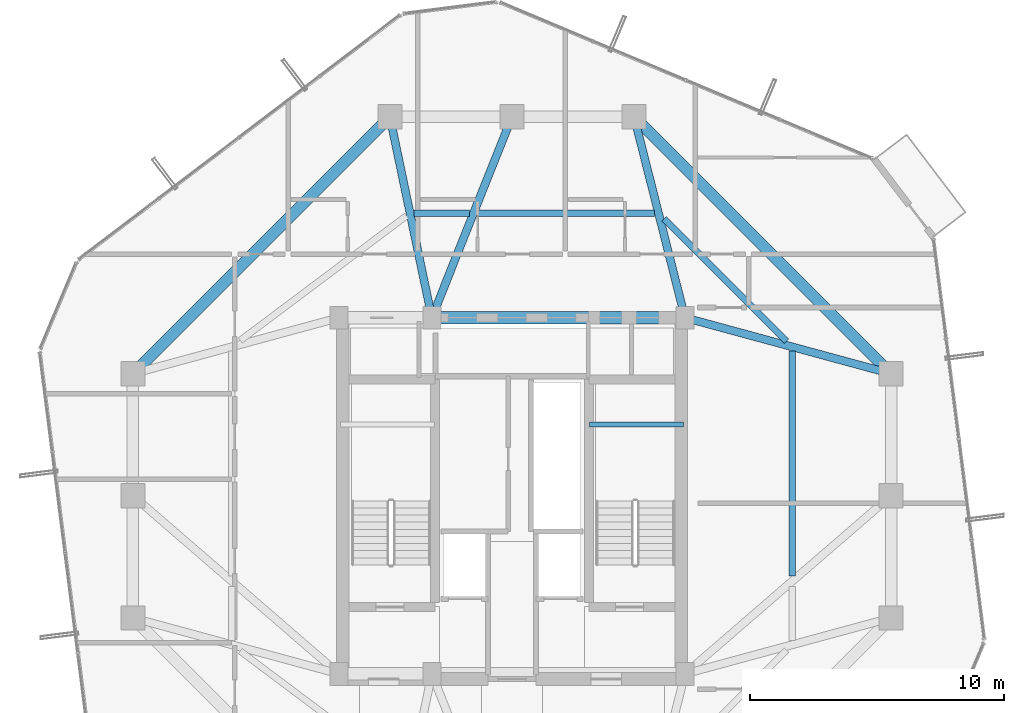
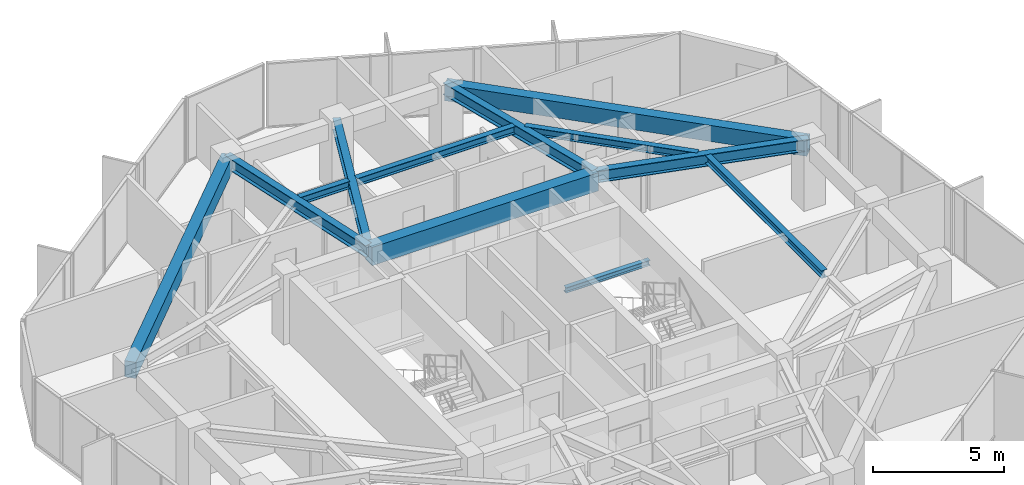
# One storey, part 16 of 32: 12 beams.
"""IFC4 building model written with IfcOpenShell, lengths in metres."""

import ifcopenshell
import ifcopenshell.guid

model = None  # the IFC model being written
_history = None  # IfcOwnerHistory: only IFC2X3 demands one
_inside = {}  # id of a spatial element -> (the spatial element, [elements in it])
_under = {}  # id of a project, library or spatial element -> (it, [spatial elements below it])
_declared = {}  # id of a project -> (the project, [libraries it declares])
_typed = {}  # id of a type object -> (the type object, [elements of that type])
_made_of = {}  # id of a material, layer set ... -> (it, [elements and type objects made of it])


def new_model(schema):
    """Start an empty IFC model of exactly this schema.

    Asked for "IFC4X3", IfcOpenShell would pick the latest addendum, in which some entities
    have other attributes; the version numbers below select the first issue.
    IFC2X3 requires an IfcOwnerHistory on every rooted entity: one is made here for all.
    """
    global model, _history
    if schema == "IFC4X3":
        model = ifcopenshell.file(schema_version=(4, 3, 0, 0))
    else:
        model = ifcopenshell.file(schema=schema)
    _inside.clear()
    _under.clear()
    _declared.clear()
    _typed.clear()
    _made_of.clear()
    _history = None
    if model.schema == "IFC2X3":
        org = make("IfcOrganization", Name="unknown")
        user = make(
            "IfcPersonAndOrganization",
            ThePerson=make("IfcPerson", FamilyName="unknown"),
            TheOrganization=org,
        )
        app = make(
            "IfcApplication",
            ApplicationDeveloper=org,
            Version="unknown",
            ApplicationFullName="unknown",
            ApplicationIdentifier="unknown",
        )
        _history = make(
            "IfcOwnerHistory",
            OwningUser=user,
            OwningApplication=app,
            ChangeAction="ADDED",
            CreationDate=0,
        )
    return model


def make(cls, **values):
    """One entity of the class cls with the attributes given. An attribute that is None is left unset."""
    return model.create_entity(
        cls, **{name: value for name, value in values.items() if value is not None}
    )


def rooted(cls, **values):
    """An entity with a GlobalId (a new one), such as an element, a storey or a relation."""
    return make(cls, GlobalId=ifcopenshell.guid.new(), OwnerHistory=_history, **values)


def si_unit(unit_type, name, prefix=None):
    """IfcSIUnit, for example si_unit("LENGTHUNIT", "METRE", prefix="MILLI")."""
    return make("IfcSIUnit", UnitType=unit_type, Prefix=prefix, Name=name)


def assignment(units):
    """IfcUnitAssignment: the units of a project."""
    return None if units is None else make("IfcUnitAssignment", Units=units)


def point(xyz):
    """IfcCartesianPoint."""
    return None if xyz is None else make("IfcCartesianPoint", Coordinates=xyz)


def direction(xyz):
    """IfcDirection."""
    return None if xyz is None else make("IfcDirection", DirectionRatios=xyz)


def frame(location, z_axis=None, x_axis=None):
    """IfcAxis2Placement3D, a coordinate frame: its origin and axes. An axis left out is left unset."""
    return make(
        "IfcAxis2Placement3D",
        Location=point(location),
        Axis=direction(z_axis),
        RefDirection=direction(x_axis),
    )


def frame_2d(location, x_axis=None):
    """IfcAxis2Placement2D, a coordinate frame in the plane: its origin and x axis."""
    return make(
        "IfcAxis2Placement2D", Location=point(location), RefDirection=direction(x_axis)
    )


def origin():
    """The frame at (0, 0, 0) with its axes left unset."""
    return frame((0.0, 0.0, 0.0))


def origin_2d():
    """The frame at (0, 0) in the plane with its x axis left unset."""
    return frame_2d((0.0, 0.0))


def place(relative_to, where):
    """IfcLocalPlacement: puts the frame where relative to a parent placement (None: the world)."""
    return make(
        "IfcLocalPlacement", PlacementRelTo=relative_to, RelativePlacement=where
    )


def context(
    kind, dimensions, precision=None, world=None, true_north=None, identifier=None
):
    """IfcGeometricRepresentationContext, for example the 3D "Model" context."""
    return make(
        "IfcGeometricRepresentationContext",
        ContextIdentifier=identifier,
        ContextType=kind,
        CoordinateSpaceDimension=dimensions,
        Precision=precision,
        WorldCoordinateSystem=world,
        TrueNorth=true_north,
    )


def subcontext(parent, identifier, kind, view, scale=None):
    """IfcGeometricRepresentationSubContext, for example "Body" below "Model"."""
    return make(
        "IfcGeometricRepresentationSubContext",
        ContextIdentifier=identifier,
        ContextType=kind,
        ParentContext=parent,
        TargetScale=scale,
        TargetView=view,
    )


def project(units=None, contexts=None):
    """IfcProject with its units and contexts."""
    return rooted(
        "IfcProject",
        Name="project",
        RepresentationContexts=contexts,
        UnitsInContext=assignment(units),
    )


def spatial(cls, under=None, at=None, **own):
    """A site, building, storey or space (cls), placed at a placement, below another one or the project."""
    s = rooted(cls, ObjectPlacement=at, **own)
    if under is not None:
        _under.setdefault(under.id(), (under, []))[1].append(s)
    return s


def profile(cls, at=None, kind="AREA", **sizes):
    """A parametric profile (cls). Its sizes go by their IFC names, for example OverallWidth=200.0."""
    return make(cls, ProfileType=kind, Position=at, **sizes)


def rectangle(**sizes):
    """IfcRectangleProfileDef."""
    return profile("IfcRectangleProfileDef", **sizes)


def i_section(**sizes):
    """IfcIShapeProfileDef."""
    return profile("IfcIShapeProfileDef", **sizes)


def extrude(swept, where, along, depth):
    """IfcExtrudedAreaSolid: the profile swept, set in the frame where, extruded along a direction by depth."""
    return make(
        "IfcExtrudedAreaSolid",
        SweptArea=swept,
        Position=where,
        ExtrudedDirection=direction(along),
        Depth=depth,
    )


def shape(context_of_items, identifier, shape_type, items):
    """IfcShapeRepresentation: the items that make up one representation, for example the "Body"."""
    return make(
        "IfcShapeRepresentation",
        ContextOfItems=context_of_items,
        RepresentationIdentifier=identifier,
        RepresentationType=shape_type,
        Items=items,
    )


def material(Name=None, Category=None):
    """IfcMaterial."""
    return make("IfcMaterial", Name=Name, Category=Category)


def material_profile(
    of_material, cross_section, Name=None, Category=None, Priority=None
):
    """IfcMaterialProfile: a cross section and its material."""
    return make(
        "IfcMaterialProfile",
        Name=Name,
        Material=of_material,
        Profile=cross_section,
        Priority=Priority,
        Category=Category,
    )


def profile_set(profiles, Name=None, composite=None):
    """IfcMaterialProfileSet."""
    return make(
        "IfcMaterialProfileSet",
        Name=Name,
        MaterialProfiles=profiles,
        CompositeProfile=composite,
    )


def made_of(thing, what):
    """Note that an element or type object is made of a material, layer set ...; save() writes the relation."""
    if what is not None:
        _made_of.setdefault(what.id(), (what, []))[1].append(thing)
    return thing


def type_object(cls, material=None, **own):
    """A type object (cls), such as IfcWallType, which elements share."""
    return made_of(rooted(cls, **own), material)


def element(
    cls,
    number,
    at=None,
    inside=None,
    cuts=None,
    type_object=None,
    material=None,
    context=None,
    identifier="Body",
    shape_type=None,
    held_by="IfcProductDefinitionShape",
    body=None,
    shapes=None,
    **own,
):
    """One element of the class cls, such as IfcWall. Its Tag is "e" and its number.

    at: its placement. inside: the storey or other place that contains it. cuts: it is an
    opening in that element (IfcRelVoidsElement). A single representation is given by context,
    identifier, shape_type and body (its items); several are given by shapes. held_by: the class
    of the entity that holds the representations. save() writes the other relations.
    """
    e = rooted(cls, Tag="e%d" % number, ObjectPlacement=at, **own)
    if body is not None:
        shapes = [shape(context, identifier, shape_type, body)]
    if shapes is not None:
        e.Representation = make(held_by, Representations=shapes)
    if inside is not None:
        _inside.setdefault(inside.id(), (inside, []))[1].append(e)
    if cuts is not None:
        rooted(
            "IfcRelVoidsElement", RelatingBuildingElement=cuts, RelatedOpeningElement=e
        )
    if type_object is not None:
        _typed.setdefault(type_object.id(), (type_object, []))[1].append(e)
    return made_of(e, material)


def aggregate(whole, parts):
    """IfcRelAggregates: a whole, such as a stair, and the parts it consists of."""
    return rooted("IfcRelAggregates", RelatingObject=whole, RelatedObjects=parts)


def save(model, path):
    """Write the relations noted so far, then the file.

    IfcRelAggregates (storeys below a building ...), IfcRelContainedInSpatialStructure (elements
    in a storey), IfcRelDefinesByType, IfcRelAssociatesMaterial and IfcRelDeclares: one each for
    every whole, place, type object, material and project.
    """
    for whole, parts in _under.values():
        aggregate(whole, parts)
    for where, things in _inside.values():
        rooted(
            "IfcRelContainedInSpatialStructure",
            RelatedElements=things,
            RelatingStructure=where,
        )
    for kind, things in _typed.values():
        rooted("IfcRelDefinesByType", RelatedObjects=things, RelatingType=kind)
    for what, things in _made_of.values():
        rooted("IfcRelAssociatesMaterial", RelatedObjects=things, RelatingMaterial=what)
    for by, libraries in _declared.values():
        rooted("IfcRelDeclares", RelatingContext=by, RelatedDefinitions=libraries)
    model.write(path)


model = new_model("IFC4")

# Units and contexts
model_context = context("Model", 3, precision=1e-05, world=origin(), true_north=direction((0.0, 1.0)))
body_context = subcontext(model_context, "Body", "Model", "MODEL_VIEW")
ifc_project = project(units=[si_unit("LENGTHUNIT", "METRE"), si_unit("AREAUNIT", "SQUARE_METRE"), si_unit("VOLUMEUNIT", "CUBIC_METRE"), si_unit("PLANEANGLEUNIT", "RADIAN"), si_unit("MASSUNIT", "GRAM", prefix="KILO")], contexts=[model_context])

# Site, building, storey
site_placement = place(None, origin())
site = spatial("IfcSite", under=ifc_project, at=site_placement, CompositionType="ELEMENT")
building_placement = place(site_placement, origin())
building = spatial("IfcBuilding", under=site, at=building_placement, Name="Veraguas Prism Commons", CompositionType="ELEMENT")
storey_placement = place(building_placement, frame((0.0, 0.0, 182.10009765625)))
storey = spatial("IfcBuildingStorey", under=building, at=storey_placement, Name="L51", CompositionType="ELEMENT", Elevation=182.10009765625)

# Beams
ifc_material_1 = material(Name="Concrete C50/60", Category="concrete")
ifc_material_profile_1 = material_profile(ifc_material_1, rectangle(XDim=0.5, YDim=0.85009765625, at=origin_2d()), Name="RC500X850")
ifc_profile_set_1 = profile_set([ifc_material_profile_1], Name="Concrete C50/60")
beam_type_1 = type_object("IfcBeamType", Name="Core Coupling Beam RC 500x850", PredefinedType="BEAM", material=ifc_profile_set_1)
beam_1_placement = place(storey_placement, frame((20.85009765625, 31.0, 2.58984375), z_axis=(1.0, 0.0, 0.0), x_axis=(0.0, 1.0, 0.0)))
element("IfcBeam", 1, at=beam_1_placement, inside=storey, type_object=beam_type_1, Name="Core Coupling Beam L51-CRN2", PredefinedType="BEAM", context=body_context, shape_type="SweptSolid", body=[
    extrude(rectangle(XDim=0.5, YDim=0.85009765625, at=origin_2d()), origin(), (0.0, 0.0, 1.0), 9.949951171875),
])
ifc_material_profile_2 = material_profile(ifc_material_1, rectangle(XDim=0.449951171875, YDim=0.75, at=origin_2d()), Name="RC450X750")
ifc_profile_set_2 = profile_set([ifc_material_profile_2], Name="Concrete C50/60")
beam_type_2 = type_object("IfcBeamType", Name="Perimeter Spandrel Upper RC 450x750", PredefinedType="SPANDREL", material=ifc_profile_set_2)
for number, where, z_axis, x_axis, name in (
    (2, (38.89990234375, 28.800048828125, 2.639892578125), (-0.707106781187, 0.707106781187, 0.0), (-0.707106781187, -0.707106781187, 0.0), "Perimeter Spandrel Beam L51-SP03"),
    (3, (19.199951171875, 38.89990234375, 2.639892578125), (-0.707106781187, -0.707106781187, 0.0), (0.707106781187, -0.707106781187, 0.0), "Perimeter Spandrel Beam L51-SP06"),
):
    element("IfcBeam", number, at=place(storey_placement, frame(where, z_axis=z_axis, x_axis=x_axis)), inside=storey, type_object=beam_type_2, Name=name, PredefinedType="SPANDREL", context=body_context, shape_type="SweptSolid", body=[
        extrude(rectangle(XDim=0.449951171875, YDim=0.75, at=origin_2d()), origin(), (0.0, 0.0, 1.0), 14.283447265625),
    ])
ifc_material_2 = material(Name="Steel ASTM A992 Grade 50", Category="steel")
ifc_material_profile_3 = material_profile(ifc_material_2, i_section(OverallWidth=0.202880859375, OverallDepth=0.251953125, WebThickness=0.008056640625, FlangeThickness=0.013427734375, at=origin_2d()), Name="W250X58")
ifc_profile_set_3 = profile_set([ifc_material_profile_3], Name="Steel ASTM A992 Grade 50")
beam_type_3 = type_object("IfcBeamType", Name="Structural Opening Lintel W250x58", PredefinedType="LINTEL", material=ifc_profile_set_3)
beam_2_placement = place(storey_placement, frame((27.050048828125, 26.800048828125, 1.298828125), z_axis=(1.0, 0.0, 0.0), x_axis=(0.0, 1.0, 0.0)))
element("IfcBeam", 4, at=beam_2_placement, inside=storey, type_object=beam_type_3, Name="Stair ST-02 Half-Landing Support Beam L51-1", PredefinedType="LINTEL", context=body_context, shape_type="SweptSolid", body=[
    extrude(i_section(OverallWidth=0.202880859375, OverallDepth=0.251953125, WebThickness=0.008056640625, FlangeThickness=0.013427734375, at=origin_2d()), origin(), (0.0, 0.0, 1.0), 3.699951171875),
])
ifc_material_profile_4 = material_profile(ifc_material_2, i_section(OverallWidth=0.25390625, OverallDepth=0.35302734375, WebThickness=0.009521484375, FlangeThickness=0.016357421875, at=origin_2d()), Name="W360X91")
ifc_profile_set_4 = profile_set([ifc_material_profile_4], Name="Steel ASTM A992 Grade 50")
beam_type_4 = type_object("IfcBeamType", Name="Upper Floor Joist W360x91", PredefinedType="JOIST", material=ifc_profile_set_4)
beam_3_placement = place(storey_placement, frame((35.011962890625, 20.843017578125, 2.83837890625), z_axis=(0.0, 1.0, 0.0), x_axis=(-1.0, 0.0, 0.0)))
element("IfcBeam", 5, at=beam_3_placement, inside=storey, type_object=beam_type_4, Name="Composite Floor Joist L51-JS02", PredefinedType="JOIST", context=body_context, shape_type="SweptSolid", body=[
    extrude(i_section(OverallWidth=0.25390625, OverallDepth=0.35302734375, WebThickness=0.009521484375, FlangeThickness=0.016357421875, at=origin_2d()), origin(), (0.0, 0.0, 1.0), 8.85400390625),
])
beam_4_placement = place(storey_placement, frame((34.793701171875, 30.074462890625, 2.83837890625), z_axis=(-0.707124682851, 0.707088879069, 0.0), x_axis=(-0.707088879069, -0.707124682851, 0.0)))
element("IfcBeam", 6, at=beam_4_placement, inside=storey, type_object=beam_type_4, Name="Composite Floor Joist L51-JS03", PredefinedType="JOIST", context=body_context, shape_type="SweptSolid", body=[
    extrude(i_section(OverallWidth=0.25390625, OverallDepth=0.35302734375, WebThickness=0.009521484375, FlangeThickness=0.016357421875, at=origin_2d()), origin(), (0.0, 0.0, 1.0), 6.81884765625),
])
beam_5_placement = place(storey_placement, frame((29.601806640625, 35.10791015625, 2.83837890625), z_axis=(-1.0, 0.0, 0.0), x_axis=(0.0, -1.0, 0.0)))
element("IfcBeam", 7, at=beam_5_placement, inside=storey, type_object=beam_type_4, Name="Composite Floor Joist L51-JS04", PredefinedType="JOIST", context=body_context, shape_type="SweptSolid", body=[
    extrude(i_section(OverallWidth=0.25390625, OverallDepth=0.35302734375, WebThickness=0.009521484375, FlangeThickness=0.016357421875, at=origin_2d()), origin(), (0.0, 0.0, 1.0), 6.948486328125),
])
beam_6_placement = place(storey_placement, frame((22.32275390625, 35.10791015625, 2.83837890625), z_axis=(-1.0, 0.0, 0.0), x_axis=(0.0, -1.0, 0.0)))
element("IfcBeam", 8, at=beam_6_placement, inside=storey, type_object=beam_type_4, Name="Composite Floor Joist L51-JS05", PredefinedType="JOIST", context=body_context, shape_type="SweptSolid", body=[
    extrude(i_section(OverallWidth=0.25390625, OverallDepth=0.35302734375, WebThickness=0.009521484375, FlangeThickness=0.016357421875, at=origin_2d()), origin(), (0.0, 0.0, 1.0), 2.174072265625),
])
ifc_material_profile_5 = material_profile(ifc_material_2, i_section(OverallWidth=0.31103515625, OverallDepth=0.5458984375, WebThickness=0.0146484375, FlangeThickness=0.023681640625, at=origin_2d()), Name="W530X165")
ifc_profile_set_5 = profile_set([ifc_material_profile_5], Name="Steel ASTM A992 Grade 50")
beam_type_5 = type_object("IfcBeamType", Name="Zone 3 Radial Girder W530x165", PredefinedType="BEAM", material=ifc_profile_set_5)
beam_7_placement = place(storey_placement, frame((38.89990234375, 28.800048828125, 2.741943359375), z_axis=(-0.965038506703, 0.262108146725, 0.0), x_axis=(-0.262108146725, -0.965038506703, 0.0)))
element("IfcBeam", 9, at=beam_7_placement, inside=storey, type_object=beam_type_5, Name="Radial Floor Girder L51-RD03", PredefinedType="BEAM", context=body_context, shape_type="SweptSolid", body=[
    extrude(i_section(OverallWidth=0.31103515625, OverallDepth=0.5458984375, WebThickness=0.0146484375, FlangeThickness=0.023681640625, at=origin_2d()), origin(), (0.0, 0.0, 1.0), 8.393310546875),
])
beam_8_placement = place(storey_placement, frame((28.800048828125, 38.89990234375, 2.741943359375), z_axis=(0.245424718066, -0.969415652732, 0.0), x_axis=(0.969415652732, 0.245424718066, 0.0)))
element("IfcBeam", 10, at=beam_8_placement, inside=storey, type_object=beam_type_5, Name="Radial Floor Girder L51-RD04", PredefinedType="BEAM", context=body_context, shape_type="SweptSolid", body=[
    extrude(i_section(OverallWidth=0.31103515625, OverallDepth=0.5458984375, WebThickness=0.0146484375, FlangeThickness=0.023681640625, at=origin_2d()), origin(), (0.0, 0.0, 1.0), 8.149169921875),
])
beam_9_placement = place(storey_placement, frame((24.0, 38.89990234375, 2.741943359375), z_axis=(-0.370370877803, -0.928883960931, 0.0), x_axis=(0.928883960931, -0.370370877803, 0.0)))
element("IfcBeam", 11, at=beam_9_placement, inside=storey, type_object=beam_type_5, Name="Radial Floor Girder L51-RD05", PredefinedType="BEAM", context=body_context, shape_type="SweptSolid", body=[
    extrude(i_section(OverallWidth=0.31103515625, OverallDepth=0.5458984375, WebThickness=0.0146484375, FlangeThickness=0.023681640625, at=origin_2d()), origin(), (0.0, 0.0, 1.0), 8.504638671875),
])
beam_10_placement = place(storey_placement, frame((19.199951171875, 38.89990234375, 2.741943359375), z_axis=(0.204468851168, -0.978873070884, 0.0), x_axis=(0.978873070884, 0.204468851168, 0.0)))
element("IfcBeam", 12, at=beam_10_placement, inside=storey, type_object=beam_type_5, Name="Radial Floor Girder L51-RD06", PredefinedType="BEAM", context=body_context, shape_type="SweptSolid", body=[
    extrude(i_section(OverallWidth=0.31103515625, OverallDepth=0.5458984375, WebThickness=0.0146484375, FlangeThickness=0.023681640625, at=origin_2d()), origin(), (0.0, 0.0, 1.0), 8.0703125),
])

save(model, "model.ifc")
